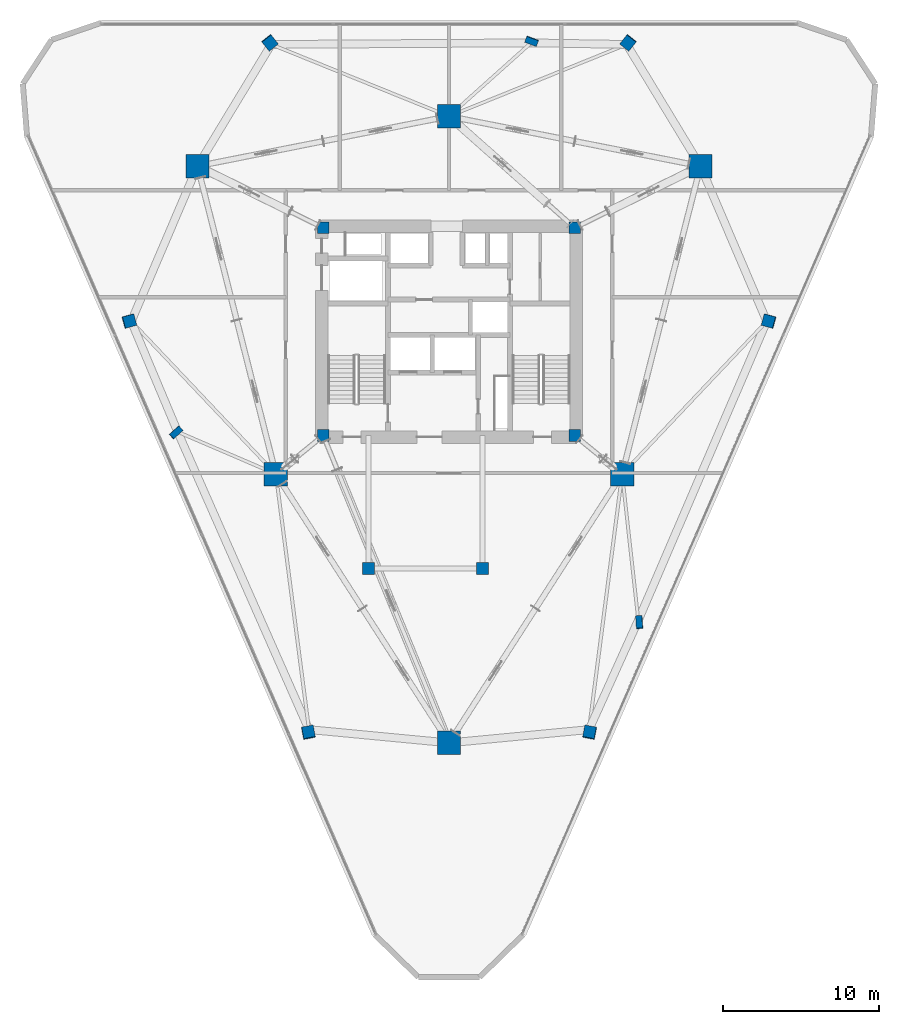
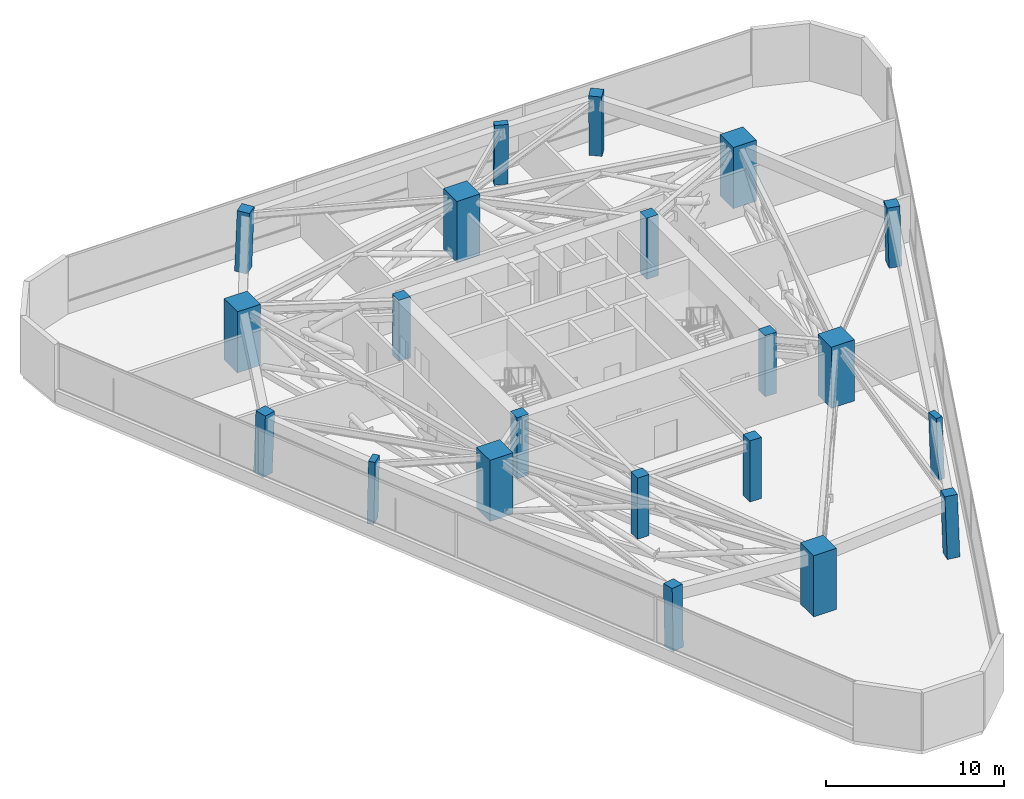
# One storey, part 1 of 13: 21 columns.
"""IFC4 building model written with IfcOpenShell, lengths in metres."""

import ifcopenshell
import ifcopenshell.guid

model = None  # the IFC model being written
_history = None  # IfcOwnerHistory: only IFC2X3 demands one
_inside = {}  # id of a spatial element -> (the spatial element, [elements in it])
_under = {}  # id of a project, library or spatial element -> (it, [spatial elements below it])
_declared = {}  # id of a project -> (the project, [libraries it declares])
_typed = {}  # id of a type object -> (the type object, [elements of that type])
_made_of = {}  # id of a material, layer set ... -> (it, [elements and type objects made of it])


def new_model(schema):
    """Start an empty IFC model of exactly this schema.

    Asked for "IFC4X3", IfcOpenShell would pick the latest addendum, in which some entities
    have other attributes; the version numbers below select the first issue.
    IFC2X3 requires an IfcOwnerHistory on every rooted entity: one is made here for all.
    """
    global model, _history
    if schema == "IFC4X3":
        model = ifcopenshell.file(schema_version=(4, 3, 0, 0))
    else:
        model = ifcopenshell.file(schema=schema)
    _inside.clear()
    _under.clear()
    _declared.clear()
    _typed.clear()
    _made_of.clear()
    _history = None
    if model.schema == "IFC2X3":
        org = make("IfcOrganization", Name="unknown")
        user = make(
            "IfcPersonAndOrganization",
            ThePerson=make("IfcPerson", FamilyName="unknown"),
            TheOrganization=org,
        )
        app = make(
            "IfcApplication",
            ApplicationDeveloper=org,
            Version="unknown",
            ApplicationFullName="unknown",
            ApplicationIdentifier="unknown",
        )
        _history = make(
            "IfcOwnerHistory",
            OwningUser=user,
            OwningApplication=app,
            ChangeAction="ADDED",
            CreationDate=0,
        )
    return model


def make(cls, **values):
    """One entity of the class cls with the attributes given. An attribute that is None is left unset."""
    return model.create_entity(
        cls, **{name: value for name, value in values.items() if value is not None}
    )


def rooted(cls, **values):
    """An entity with a GlobalId (a new one), such as an element, a storey or a relation."""
    return make(cls, GlobalId=ifcopenshell.guid.new(), OwnerHistory=_history, **values)


def si_unit(unit_type, name, prefix=None):
    """IfcSIUnit, for example si_unit("LENGTHUNIT", "METRE", prefix="MILLI")."""
    return make("IfcSIUnit", UnitType=unit_type, Prefix=prefix, Name=name)


def assignment(units):
    """IfcUnitAssignment: the units of a project."""
    return None if units is None else make("IfcUnitAssignment", Units=units)


def point(xyz):
    """IfcCartesianPoint."""
    return None if xyz is None else make("IfcCartesianPoint", Coordinates=xyz)


def direction(xyz):
    """IfcDirection."""
    return None if xyz is None else make("IfcDirection", DirectionRatios=xyz)


def frame(location, z_axis=None, x_axis=None):
    """IfcAxis2Placement3D, a coordinate frame: its origin and axes. An axis left out is left unset."""
    return make(
        "IfcAxis2Placement3D",
        Location=point(location),
        Axis=direction(z_axis),
        RefDirection=direction(x_axis),
    )


def frame_2d(location, x_axis=None):
    """IfcAxis2Placement2D, a coordinate frame in the plane: its origin and x axis."""
    return make(
        "IfcAxis2Placement2D", Location=point(location), RefDirection=direction(x_axis)
    )


def origin():
    """The frame at (0, 0, 0) with its axes left unset."""
    return frame((0.0, 0.0, 0.0))


def origin_2d():
    """The frame at (0, 0) in the plane with its x axis left unset."""
    return frame_2d((0.0, 0.0))


def place(relative_to, where):
    """IfcLocalPlacement: puts the frame where relative to a parent placement (None: the world)."""
    return make(
        "IfcLocalPlacement", PlacementRelTo=relative_to, RelativePlacement=where
    )


def context(
    kind, dimensions, precision=None, world=None, true_north=None, identifier=None
):
    """IfcGeometricRepresentationContext, for example the 3D "Model" context."""
    return make(
        "IfcGeometricRepresentationContext",
        ContextIdentifier=identifier,
        ContextType=kind,
        CoordinateSpaceDimension=dimensions,
        Precision=precision,
        WorldCoordinateSystem=world,
        TrueNorth=true_north,
    )


def subcontext(parent, identifier, kind, view, scale=None):
    """IfcGeometricRepresentationSubContext, for example "Body" below "Model"."""
    return make(
        "IfcGeometricRepresentationSubContext",
        ContextIdentifier=identifier,
        ContextType=kind,
        ParentContext=parent,
        TargetScale=scale,
        TargetView=view,
    )


def project(units=None, contexts=None):
    """IfcProject with its units and contexts."""
    return rooted(
        "IfcProject",
        Name="project",
        RepresentationContexts=contexts,
        UnitsInContext=assignment(units),
    )


def spatial(cls, under=None, at=None, **own):
    """A site, building, storey or space (cls), placed at a placement, below another one or the project."""
    s = rooted(cls, ObjectPlacement=at, **own)
    if under is not None:
        _under.setdefault(under.id(), (under, []))[1].append(s)
    return s


def profile(cls, at=None, kind="AREA", **sizes):
    """A parametric profile (cls). Its sizes go by their IFC names, for example OverallWidth=200.0."""
    return make(cls, ProfileType=kind, Position=at, **sizes)


def rectangle(**sizes):
    """IfcRectangleProfileDef."""
    return profile("IfcRectangleProfileDef", **sizes)


def extrude(swept, where, along, depth):
    """IfcExtrudedAreaSolid: the profile swept, set in the frame where, extruded along a direction by depth."""
    return make(
        "IfcExtrudedAreaSolid",
        SweptArea=swept,
        Position=where,
        ExtrudedDirection=direction(along),
        Depth=depth,
    )


def shape(context_of_items, identifier, shape_type, items):
    """IfcShapeRepresentation: the items that make up one representation, for example the "Body"."""
    return make(
        "IfcShapeRepresentation",
        ContextOfItems=context_of_items,
        RepresentationIdentifier=identifier,
        RepresentationType=shape_type,
        Items=items,
    )


def material(Name=None, Category=None):
    """IfcMaterial."""
    return make("IfcMaterial", Name=Name, Category=Category)


def material_profile(
    of_material, cross_section, Name=None, Category=None, Priority=None
):
    """IfcMaterialProfile: a cross section and its material."""
    return make(
        "IfcMaterialProfile",
        Name=Name,
        Material=of_material,
        Profile=cross_section,
        Priority=Priority,
        Category=Category,
    )


def profile_set(profiles, Name=None, composite=None):
    """IfcMaterialProfileSet."""
    return make(
        "IfcMaterialProfileSet",
        Name=Name,
        MaterialProfiles=profiles,
        CompositeProfile=composite,
    )


def made_of(thing, what):
    """Note that an element or type object is made of a material, layer set ...; save() writes the relation."""
    if what is not None:
        _made_of.setdefault(what.id(), (what, []))[1].append(thing)
    return thing


def type_object(cls, material=None, **own):
    """A type object (cls), such as IfcWallType, which elements share."""
    return made_of(rooted(cls, **own), material)


def element(
    cls,
    number,
    at=None,
    inside=None,
    cuts=None,
    type_object=None,
    material=None,
    context=None,
    identifier="Body",
    shape_type=None,
    held_by="IfcProductDefinitionShape",
    body=None,
    shapes=None,
    **own,
):
    """One element of the class cls, such as IfcWall. Its Tag is "e" and its number.

    at: its placement. inside: the storey or other place that contains it. cuts: it is an
    opening in that element (IfcRelVoidsElement). A single representation is given by context,
    identifier, shape_type and body (its items); several are given by shapes. held_by: the class
    of the entity that holds the representations. save() writes the other relations.
    """
    e = rooted(cls, Tag="e%d" % number, ObjectPlacement=at, **own)
    if body is not None:
        shapes = [shape(context, identifier, shape_type, body)]
    if shapes is not None:
        e.Representation = make(held_by, Representations=shapes)
    if inside is not None:
        _inside.setdefault(inside.id(), (inside, []))[1].append(e)
    if cuts is not None:
        rooted(
            "IfcRelVoidsElement", RelatingBuildingElement=cuts, RelatedOpeningElement=e
        )
    if type_object is not None:
        _typed.setdefault(type_object.id(), (type_object, []))[1].append(e)
    return made_of(e, material)


def aggregate(whole, parts):
    """IfcRelAggregates: a whole, such as a stair, and the parts it consists of."""
    return rooted("IfcRelAggregates", RelatingObject=whole, RelatedObjects=parts)


def save(model, path):
    """Write the relations noted so far, then the file.

    IfcRelAggregates (storeys below a building ...), IfcRelContainedInSpatialStructure (elements
    in a storey), IfcRelDefinesByType, IfcRelAssociatesMaterial and IfcRelDeclares: one each for
    every whole, place, type object, material and project.
    """
    for whole, parts in _under.values():
        aggregate(whole, parts)
    for where, things in _inside.values():
        rooted(
            "IfcRelContainedInSpatialStructure",
            RelatedElements=things,
            RelatingStructure=where,
        )
    for kind, things in _typed.values():
        rooted("IfcRelDefinesByType", RelatedObjects=things, RelatingType=kind)
    for what, things in _made_of.values():
        rooted("IfcRelAssociatesMaterial", RelatedObjects=things, RelatingMaterial=what)
    for by, libraries in _declared.values():
        rooted("IfcRelDeclares", RelatingContext=by, RelatedDefinitions=libraries)
    model.write(path)


model = new_model("IFC4")

# Units and contexts
model_context = context("Model", 3, precision=1e-05, world=origin(), true_north=direction((0.0, 1.0)))
body_context = subcontext(model_context, "Body", "Model", "MODEL_VIEW")
ifc_project = project(units=[si_unit("LENGTHUNIT", "METRE"), si_unit("AREAUNIT", "SQUARE_METRE"), si_unit("VOLUMEUNIT", "CUBIC_METRE"), si_unit("PLANEANGLEUNIT", "RADIAN"), si_unit("MASSUNIT", "GRAM", prefix="KILO")], contexts=[model_context])

# Site, building, storey
site_placement = place(None, origin())
site = spatial("IfcSite", under=ifc_project, at=site_placement, CompositionType="ELEMENT")
building_placement = place(site_placement, origin())
building = spatial("IfcBuilding", under=site, at=building_placement, Name="Talyreon Biosciences Tower", CompositionType="ELEMENT")
storey_placement = place(building_placement, frame((0.0, 0.0, 175.199951171875)))
storey = spatial("IfcBuildingStorey", under=building, at=storey_placement, Name="L46", CompositionType="ELEMENT", Elevation=175.199951171875)

# Columns
ifc_material_1 = material(Name="Precast concrete C45/55", Category="concrete")
ifc_material_profile_1 = material_profile(ifc_material_1, rectangle(XDim=0.800048828125, YDim=0.39990234375, at=origin_2d()), Name="RC 800x400")
ifc_profile_set_1 = profile_set([ifc_material_profile_1], Name="Precast concrete C45/55")
column_type_1 = type_object("IfcColumnType", Name="FacadePilaster_800x400", PredefinedType="PILASTER", material=ifc_profile_set_1)
column_1_placement = place(storey_placement, frame((78.192626953125, 49.377685546875, 0.0029296875), z_axis=(-0.017043751873, 0.033331296325, 0.999299021919), x_axis=(0.061673115454, -0.997506056634, 0.034323371167)))
element("IfcColumn", 1, at=column_1_placement, inside=storey, type_object=column_type_1, Name="L46 Facade Pilaster PL-SE", PredefinedType="PILASTER", context=body_context, shape_type="SweptSolid", body=[
    extrude(rectangle(XDim=0.800048828125, YDim=0.39990234375, at=origin_2d()), origin(), (0.0, 0.0, 1.0), 4.197021484375),
])
column_2_placement = place(storey_placement, frame((71.297607421875, 86.613525390625, 0.0029296875), z_axis=(-0.010821937576, -0.029149412503, 0.999516481814), x_axis=(-0.937477612418, 0.348045580658, 0.0)))
element("IfcColumn", 2, at=column_2_placement, inside=storey, type_object=column_type_1, Name="L46 Facade Pilaster PL-N", PredefinedType="PILASTER", context=body_context, shape_type="SweptSolid", body=[
    extrude(rectangle(XDim=0.800048828125, YDim=0.39990234375, at=origin_2d()), origin(), (0.0, 0.0, 1.0), 4.196044921875),
])
column_3_placement = place(storey_placement, frame((48.509765625, 61.543701171875, 0.0029296875), z_axis=(0.027812729402, 0.009193328966, 0.999570875319), x_axis=(0.744858205802, 0.666682045545, -0.026857092122)))
element("IfcColumn", 3, at=column_3_placement, inside=storey, type_object=column_type_1, Name="L46 Facade Pilaster PL-SW", PredefinedType="PILASTER", context=body_context, shape_type="SweptSolid", body=[
    extrude(rectangle(XDim=0.800048828125, YDim=0.39990234375, at=origin_2d()), origin(), (0.0, 0.0, 1.0), 4.19580078125),
])
ifc_material_2 = material(Name="Concrete C60/75", Category="concrete")
ifc_material_profile_2 = material_profile(ifc_material_2, rectangle(XDim=1.5, YDim=1.5, at=origin_2d()), Name="RC 1500x1500")
ifc_profile_set_2 = profile_set([ifc_material_profile_2], Name="Concrete C60/75")
column_type_2 = type_object("IfcColumnType", Name="MegaColumn_1500", PredefinedType="COLUMN", material=ifc_profile_set_2)
for number, where, z_axis, x_axis, name in (
    (4, (66.0, 41.6669921875, 0.0), (0.0, 0.0, 1.0), (1.0, 0.0, 0.0), "L46 Composite Mega-Column MC1"),
    (5, (82.102294921875, 78.5986328125, 0.0), (0.0, 0.0, 1.0), (1.0, 0.0, 0.0), "L46 Composite Mega-Column MC2"),
    (6, (49.897705078125, 78.5986328125, 0.0), (0.0, 0.0, 1.0), (1.0, 0.0, 0.0), "L46 Composite Mega-Column MC3"),
    (7, (77.086181640625, 58.88037109375, 0.0), (0.0, 0.0, 1.0), (1.0, 0.0, 0.0), "L46 Composite Mega-Column MC4"),
    (8, (66.0, 81.788818359375, 0.0), (0.0, 0.0, 1.0), (1.0, 0.0, 0.0), "L46 Composite Mega-Column MC5"),
    (9, (54.913818359375, 58.88037109375, 0.0), (0.0, 0.0, 1.0), (1.0, 0.0, 0.0), "L46 Composite Mega-Column MC6"),
):
    element("IfcColumn", number, at=place(storey_placement, frame(where, z_axis=z_axis, x_axis=x_axis)), inside=storey, type_object=column_type_2, Name=name, PredefinedType="COLUMN", context=body_context, shape_type="SweptSolid", body=[
        extrude(rectangle(XDim=1.5, YDim=1.5, at=origin_2d()), origin(), (0.0, 0.0, 1.0), 4.199951171875),
    ])
ifc_material_3 = material(Name="Concrete C50/60", Category="concrete")
ifc_material_profile_3 = material_profile(ifc_material_3, rectangle(XDim=0.75, YDim=0.75, at=origin_2d()), Name="RC 750x750")
ifc_profile_set_3 = profile_set([ifc_material_profile_3], Name="Concrete C50/60")
column_type_3 = type_object("IfcColumnType", Name="PerimeterColumn_750", PredefinedType="COLUMN", material=ifc_profile_set_3)
for number, where, z_axis, x_axis, name in (
    (10, (57.949951171875, 61.35009765625, 0.0), (0.0, 0.0, 1.0), (1.0, 0.0, 0.0), "L46 Core Column CC1"),
    (11, (74.050048828125, 61.35009765625, 0.0), (0.0, 0.0, 1.0), (1.0, 0.0, 0.0), "L46 Core Column CC2"),
    (12, (74.050048828125, 74.64990234375, 0.0), (0.0, 0.0, 1.0), (1.0, 0.0, 0.0), "L46 Core Column CC3"),
    (13, (57.949951171875, 74.64990234375, 0.0), (0.0, 0.0, 1.0), (1.0, 0.0, 0.0), "L46 Core Column CC4"),
    (14, (60.85009765625, 52.840087890625, 0.0), (0.0, 0.0, 1.0), (1.0, 0.0, 0.0), "L46 Core Column CSW"),
    (15, (68.14990234375, 52.840087890625, 0.0), (0.0, 0.0, 1.0), (1.0, 0.0, 0.0), "L46 Core Column CSE"),
):
    element("IfcColumn", number, at=place(storey_placement, frame(where, z_axis=z_axis, x_axis=x_axis)), inside=storey, type_object=column_type_3, Name=name, PredefinedType="COLUMN", context=body_context, shape_type="SweptSolid", body=[
        extrude(rectangle(XDim=0.75, YDim=0.75, at=origin_2d()), origin(), (0.0, 0.0, 1.0), 4.199951171875),
    ])
column_4_placement = place(storey_placement, frame((75.0107421875, 42.32080078125, 0.0029296875), z_axis=(-0.010698106163, 0.047385633276, 0.998819379209), x_axis=(-0.187753455658, -0.981205846907, 0.044539037743)))
element("IfcColumn", 16, at=column_4_placement, inside=storey, type_object=column_type_3, Name="L46 Tapering Perimeter Column PC-SE1", PredefinedType="COLUMN", context=body_context, shape_type="SweptSolid", body=[
    extrude(rectangle(XDim=0.75, YDim=0.75, at=origin_2d()), origin(), (0.0, 0.0, 1.0), 4.198974609375),
])
column_5_placement = place(storey_placement, frame((86.48876953125, 68.6806640625, 0.0029296875), z_axis=(-0.034091169757, -0.004944964896, 0.999406493608), x_axis=(0.964125940683, -0.263559565569, 0.031583633399)))
element("IfcColumn", 17, at=column_5_placement, inside=storey, type_object=column_type_3, Name="L46 Tapering Perimeter Column PC-SE2", PredefinedType="COLUMN", context=body_context, shape_type="SweptSolid", body=[
    extrude(rectangle(XDim=0.75, YDim=0.75, at=origin_2d()), origin(), (0.0, 0.0, 1.0), 4.196533203125),
])
for number, where, z_axis, x_axis, name in (
    (18, (77.47802734375, 86.513427734375, 0.0029296875), (-0.023384322481, -0.029143148167, 0.999301681364), (-0.779956681152, 0.625833504637, 0.0), "L46 Tapering Perimeter Column PC-N1"),
    (19, (54.52197265625, 86.513427734375, 0.0029296875), (0.023384322481, -0.029143148167, 0.999301681364), (-0.779956681152, -0.625833504637, 0.0), "L46 Tapering Perimeter Column PC-N2"),
):
    element("IfcColumn", number, at=place(storey_placement, frame(where, z_axis=z_axis, x_axis=x_axis)), inside=storey, type_object=column_type_3, Name=name, PredefinedType="COLUMN", context=body_context, shape_type="SweptSolid", body=[
        extrude(rectangle(XDim=0.75, YDim=0.75, at=origin_2d()), origin(), (0.0, 0.0, 1.0), 4.197021484375),
    ])
column_6_placement = place(storey_placement, frame((45.51123046875, 68.6806640625, 0.0029296875), z_axis=(0.034091169757, -0.004944964896, 0.999406493608), x_axis=(0.964125940683, 0.263559565569, -0.031583633399)))
element("IfcColumn", 20, at=column_6_placement, inside=storey, type_object=column_type_3, Name="L46 Tapering Perimeter Column PC-SW1", PredefinedType="COLUMN", context=body_context, shape_type="SweptSolid", body=[
    extrude(rectangle(XDim=0.75, YDim=0.75, at=origin_2d()), origin(), (0.0, 0.0, 1.0), 4.196533203125),
])
column_7_placement = place(storey_placement, frame((56.9892578125, 42.32080078125, 0.0029296875), z_axis=(0.010698106163, 0.047385633276, 0.998819379209), x_axis=(-0.187753455658, 0.981205846907, -0.044539037743)))
element("IfcColumn", 21, at=column_7_placement, inside=storey, type_object=column_type_3, Name="L46 Tapering Perimeter Column PC-SW2", PredefinedType="COLUMN", context=body_context, shape_type="SweptSolid", body=[
    extrude(rectangle(XDim=0.75, YDim=0.75, at=origin_2d()), origin(), (0.0, 0.0, 1.0), 4.198974609375),
])

save(model, "model.ifc")
